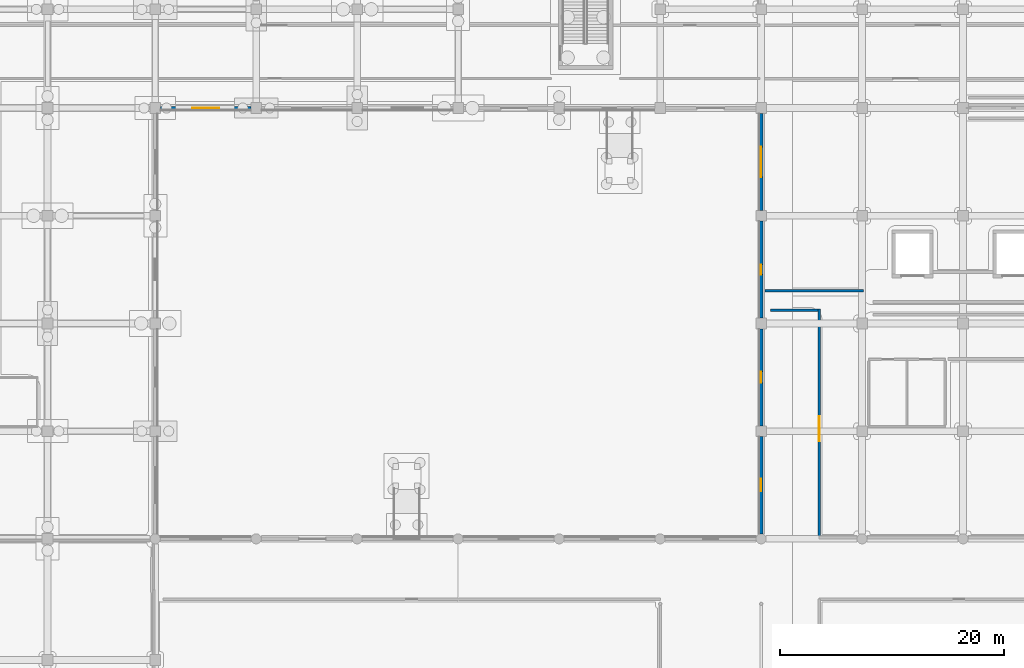
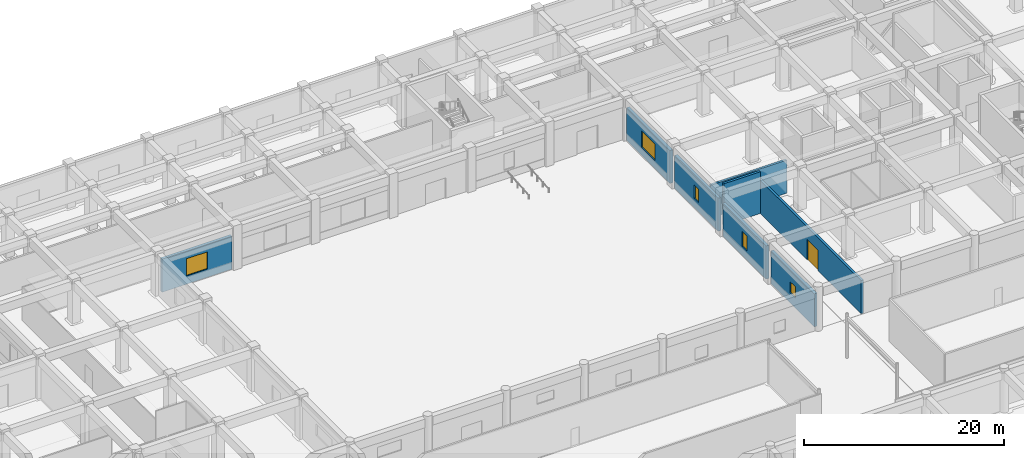
# One storey, part 36 of 74: 8 walls, 5 windows, 1 door, 6 openings.
"""IFC4 building model written with IfcOpenShell, lengths in metres."""

from ifc_helpers import new_model, si_unit, direction, frame, frame_2d, origin, place, context, subcontext, project, spatial, rectangle, extrude, material, layer, layer_set, type_object, element, fill, save


model = new_model("IFC4")

# Units and contexts
model_context = context("Model", 3, precision=1e-05, world=origin(), true_north=direction((0.0, 1.0)))
body_context = subcontext(model_context, "Body", "Model", "MODEL_VIEW")
ifc_project = project(units=[si_unit("LENGTHUNIT", "METRE"), si_unit("AREAUNIT", "SQUARE_METRE"), si_unit("VOLUMEUNIT", "CUBIC_METRE"), si_unit("PLANEANGLEUNIT", "RADIAN"), si_unit("MASSUNIT", "GRAM", prefix="KILO")], contexts=[model_context])

# Site, building, storey
site_placement = place(None, origin())
site = spatial("IfcSite", under=ifc_project, at=site_placement, CompositionType="ELEMENT")
building_placement = place(site_placement, origin())
building = spatial("IfcBuilding", under=site, at=building_placement, Name="Cendralis Terraced Arcade", CompositionType="ELEMENT")
storey_placement = place(building_placement, origin())
storey = spatial("IfcBuildingStorey", under=building, at=storey_placement, Name="L00", CompositionType="ELEMENT", Elevation=0.0)

# Wall, opening, window
ifc_material_1 = material(Name="Precast concrete f'c 40 MPa", Category="concrete")
ifc_layer_1 = layer(ifc_material_1, 0.320068359375, Name="WL-EXT-GRC-320")
ifc_layer_set_1 = layer_set([ifc_layer_1], Name="Precast concrete f'c 40 MPa")
wall_type_1 = type_object("IfcWallType", Name="WL-EXT-GRC-320", PredefinedType="SOLIDWALL", material=ifc_layer_set_1)
wall_1_placement = place(storey_placement, frame((75.72705078125, 98.39990234375, 0.0), z_axis=(0.0, 0.0, 1.0), x_axis=(-1.0, 0.0, 0.0)))
wall_1 = element("IfcWall", 1, at=wall_1_placement, inside=storey, type_object=wall_type_1, Name="Exterior Architectural Wall EW-L00-0067", PredefinedType="SOLIDWALL", context=body_context, shape_type="SweptSolid", body=[
    extrude(rectangle(XDim=8.053955078125, YDim=0.320068359375, at=frame_2d((4.02685546875, 0.0))), origin(), (0.0, 0.0, 1.0), 4.030029296875),
])
opening_1_placement = place(wall_1_placement, frame((2.826904296875, 0.0, 1.0)))
opening_1 = element("IfcOpeningElement", 2, at=opening_1_placement, cuts=wall_1, Name="Opening W-11", PredefinedType="OPENING", context=body_context, shape_type="SweptSolid", body=[
    extrude(rectangle(XDim=2.39990234375, YDim=2.10009765625, at=frame_2d((1.199951171875, 1.050048828125))), frame((0.0, 0.171875, 0.0), z_axis=(0.0, -1.0, 0.0), x_axis=(1.0, 0.0, 0.0)), (0.0, 0.0, 1.0), 0.343994140625),
])
ifc_material_2 = material(Name="Tempered solar control laminated glass", Category="glass")
window_type_1 = type_object("IfcWindowType", Name="WN-F2-2400x2100", PartitioningType="SINGLE_PANEL", PredefinedType="WINDOW", material=ifc_material_2)
window_1_placement = place(opening_1_placement, origin())
window_1 = element("IfcWindow", 3, at=window_1_placement, inside=storey, type_object=window_type_1, Name="Exterior Solar-Control Window WN-L00-0027", OverallHeight=2.10009765625, OverallWidth=2.39990234375, PartitioningType="SINGLE_PANEL", PredefinedType="WINDOW", context=body_context, shape_type="SweptSolid", body=[
    extrude(rectangle(XDim=2.39990234375, YDim=2.10009765625, at=frame_2d((1.199951171875, 1.050048828125))), frame((0.0, 0.030029296875, 0.0), z_axis=(0.0, -1.0, 0.0), x_axis=(1.0, 0.0, 0.0)), (0.0, 0.0, 1.0), 0.06005859375),
])
fill(opening_1, window_1)

wall_2_placement = place(storey_placement, frame((121.199951171875, 60.447998046875, 0.0), z_axis=(0.0, 0.0, 1.0), x_axis=(0.0, 1.0, 0.0)))
wall_2 = element("IfcWall", 4, at=wall_2_placement, inside=storey, type_object=wall_type_1, Name="Exterior Architectural Wall EW-L00-0078", PredefinedType="SOLIDWALL", context=body_context, shape_type="SweptSolid", body=[
    extrude(rectangle(XDim=8.678955078125, YDim=0.320068359375, at=frame_2d((4.33935546875, 0.0))), origin(), (0.0, 0.0, 1.0), 4.030029296875),
])
opening_2_placement = place(wall_2_placement, frame((3.78955078125, 0.0, 1.25)))
opening_2 = element("IfcOpeningElement", 5, at=opening_2_placement, cuts=wall_2, Name="Opening W-22", PredefinedType="OPENING", context=body_context, shape_type="SweptSolid", body=[
    extrude(rectangle(XDim=1.10009765625, YDim=1.35009765625, at=frame_2d((0.550048828125, 0.675048828125))), frame((0.0, 0.171875, 0.0), z_axis=(0.0, -1.0, 0.0), x_axis=(1.0, 0.0, 0.0)), (0.0, 0.0, 1.0), 0.343994140625),
])
window_type_2 = type_object("IfcWindowType", Name="WN-BOH-1100x1350", PartitioningType="SINGLE_PANEL", PredefinedType="WINDOW", material=ifc_material_2)
window_2_placement = place(opening_2_placement, origin())
window_2 = element("IfcWindow", 6, at=window_2_placement, inside=storey, type_object=window_type_2, Name="Exterior Solar-Control Window WN-L00-0037", OverallHeight=1.35009765625, OverallWidth=1.10009765625, PartitioningType="SINGLE_PANEL", PredefinedType="WINDOW", context=body_context, shape_type="SweptSolid", body=[
    extrude(rectangle(XDim=1.10009765625, YDim=1.35009765625, at=frame_2d((0.550048828125, 0.675048828125))), frame((0.0, 0.030029296875, 0.0), z_axis=(0.0, -1.0, 0.0), x_axis=(1.0, 0.0, 0.0)), (0.0, 0.0, 1.0), 0.06005859375),
])
fill(opening_2, window_2)

wall_3_placement = place(storey_placement, frame((121.199951171875, 70.072998046875, 0.0), z_axis=(0.0, 0.0, 1.0), x_axis=(0.0, 1.0, 0.0)))
wall_3 = element("IfcWall", 7, at=wall_3_placement, inside=storey, type_object=wall_type_1, Name="Exterior Architectural Wall EW-L00-0079", PredefinedType="SOLIDWALL", context=body_context, shape_type="SweptSolid", body=[
    extrude(rectangle(XDim=8.654052734375, YDim=0.320068359375, at=frame_2d((4.3271484375, 0.0))), origin(), (0.0, 0.0, 1.0), 4.030029296875),
])
opening_3_placement = place(wall_3_placement, frame((3.826904296875, 0.0, 1.10009765625)))
opening_3 = element("IfcOpeningElement", 8, at=opening_3_placement, cuts=wall_3, Name="Opening W-23", PredefinedType="OPENING", context=body_context, shape_type="SweptSolid", body=[
    extrude(rectangle(XDim=1.0, YDim=1.800048828125, at=frame_2d((0.5, 0.89990234375))), frame((0.0, 0.171875, 0.0), z_axis=(0.0, -1.0, 0.0), x_axis=(1.0, 0.0, 0.0)), (0.0, 0.0, 1.0), 0.343994140625),
])
window_type_3 = type_object("IfcWindowType", Name="WN-ST-1000x1800", PartitioningType="SINGLE_PANEL", PredefinedType="WINDOW", material=ifc_material_2)
window_3_placement = place(opening_3_placement, origin())
window_3 = element("IfcWindow", 9, at=window_3_placement, inside=storey, type_object=window_type_3, Name="Exterior Solar-Control Window WN-L00-0038", OverallHeight=1.800048828125, OverallWidth=1.0, PartitioningType="SINGLE_PANEL", PredefinedType="WINDOW", context=body_context, shape_type="SweptSolid", body=[
    extrude(rectangle(XDim=1.0, YDim=1.800048828125, at=frame_2d((0.5, 0.89990234375))), frame((0.0, 0.030029296875, 0.0), z_axis=(0.0, -1.0, 0.0), x_axis=(1.0, 0.0, 0.0)), (0.0, 0.0, 1.0), 0.06005859375),
])
fill(opening_3, window_3)

wall_4_placement = place(storey_placement, frame((121.199951171875, 79.673095703125, 0.0), z_axis=(0.0, 0.0, 1.0), x_axis=(0.0, 1.0, 0.0)))
wall_4 = element("IfcWall", 10, at=wall_4_placement, inside=storey, type_object=wall_type_1, Name="Exterior Architectural Wall EW-L00-0080", PredefinedType="SOLIDWALL", context=body_context, shape_type="SweptSolid", body=[
    extrude(rectangle(XDim=8.65380859375, YDim=0.320068359375, at=frame_2d((4.326904296875, 0.0))), origin(), (0.0, 0.0, 1.0), 4.030029296875),
])
opening_4_placement = place(wall_4_placement, frame((3.876953125, 0.0, 1.14990234375)))
opening_4 = element("IfcOpeningElement", 11, at=opening_4_placement, cuts=wall_4, Name="Opening W-24", PredefinedType="OPENING", context=body_context, shape_type="SweptSolid", body=[
    extrude(rectangle(XDim=0.89990234375, YDim=1.60009765625, at=frame_2d((0.449951171875, 0.800048828125))), frame((0.0, 0.171875, 0.0), z_axis=(0.0, -1.0, 0.0), x_axis=(1.0, 0.0, 0.0)), (0.0, 0.0, 1.0), 0.343994140625),
])
window_type_4 = type_object("IfcWindowType", Name="WN-ST-0900x1600", PartitioningType="SINGLE_PANEL", PredefinedType="WINDOW", material=ifc_material_2)
window_4_placement = place(opening_4_placement, origin())
window_4 = element("IfcWindow", 12, at=window_4_placement, inside=storey, type_object=window_type_4, Name="Exterior Solar-Control Window WN-L00-0039", OverallHeight=1.60009765625, OverallWidth=0.89990234375, PartitioningType="SINGLE_PANEL", PredefinedType="WINDOW", context=body_context, shape_type="SweptSolid", body=[
    extrude(rectangle(XDim=0.89990234375, YDim=1.60009765625, at=frame_2d((0.449951171875, 0.800048828125))), frame((0.0, 0.030029296875, 0.0), z_axis=(0.0, -1.0, 0.0), x_axis=(1.0, 0.0, 0.0)), (0.0, 0.0, 1.0), 0.06005859375),
])
fill(opening_4, window_4)

wall_5_placement = place(storey_placement, frame((121.199951171875, 89.27294921875, 0.0), z_axis=(0.0, 0.0, 1.0), x_axis=(0.0, 1.0, 0.0)))
wall_5 = element("IfcWall", 13, at=wall_5_placement, inside=storey, type_object=wall_type_1, Name="Exterior Architectural Wall EW-L00-0081", PredefinedType="SOLIDWALL", context=body_context, shape_type="SweptSolid", body=[
    extrude(rectangle(XDim=8.654052734375, YDim=0.320068359375, at=frame_2d((4.3271484375, 0.0))), origin(), (0.0, 0.0, 1.0), 4.030029296875),
])
opening_5_placement = place(wall_5_placement, frame((2.97705078125, 0.0, 1.0)))
opening_5 = element("IfcOpeningElement", 14, at=opening_5_placement, cuts=wall_5, Name="Opening W-25", PredefinedType="OPENING", context=body_context, shape_type="SweptSolid", body=[
    extrude(rectangle(XDim=2.699951171875, YDim=2.0, at=frame_2d((1.35009765625, 1.0))), frame((0.0, 0.171875, 0.0), z_axis=(0.0, -1.0, 0.0), x_axis=(1.0, 0.0, 0.0)), (0.0, 0.0, 1.0), 0.343994140625),
])
window_type_5 = type_object("IfcWindowType", Name="WN-F3-2700x2000", PartitioningType="SINGLE_PANEL", PredefinedType="WINDOW", material=ifc_material_2)
window_5_placement = place(opening_5_placement, origin())
window_5 = element("IfcWindow", 15, at=window_5_placement, inside=storey, type_object=window_type_5, Name="Exterior Solar-Control Window WN-L00-0040", OverallHeight=2.0, OverallWidth=2.699951171875, PartitioningType="SINGLE_PANEL", PredefinedType="WINDOW", context=body_context, shape_type="SweptSolid", body=[
    extrude(rectangle(XDim=2.699951171875, YDim=2.0, at=frame_2d((1.35009765625, 1.0))), frame((0.0, 0.030029296875, 0.0), z_axis=(0.0, -1.0, 0.0), x_axis=(1.0, 0.0, 0.0)), (0.0, 0.0, 1.0), 0.06005859375),
])
fill(opening_5, window_5)

# Wall
ifc_material_3 = material(Name="Autoclaved aerated concrete blockwork", Category="masonry")
ifc_layer_2 = layer(ifc_material_3, 0.241943359375, Name="WL-FIRE-242")
ifc_layer_set_2 = layer_set([ifc_layer_2], Name="Autoclaved aerated concrete blockwork")
wall_type_2 = type_object("IfcWallType", Name="WL-FIRE-242", PredefinedType="PARTITIONING", material=ifc_layer_set_2)
wall_6_placement = place(storey_placement, frame((130.320068359375, 82.1201171875, 0.0), z_axis=(0.0, 0.0, 1.0), x_axis=(-1.0, 0.0, 0.0)))
element("IfcWall", 16, at=wall_6_placement, inside=storey, type_object=wall_type_2, Name="Interior Partition Wall IW-L00-0312", PredefinedType="PARTITIONING", context=body_context, shape_type="SweptSolid", body=[
    extrude(rectangle(XDim=8.780029296875, YDim=0.241943359375, at=frame_2d((4.39013671875, 0.0))), origin(), (0.0, 0.0, 1.0), 4.030029296875),
])

# Wall, opening, door
ifc_layer_3 = layer(ifc_material_3, 0.260009765625, Name="WL-FIRE-260")
ifc_layer_set_3 = layer_set([ifc_layer_3], Name="Autoclaved aerated concrete blockwork")
wall_type_3 = type_object("IfcWallType", Name="WL-FIRE-260", PredefinedType="PARTITIONING", material=ifc_layer_set_3)
wall_7_placement = place(storey_placement, frame((126.3798828125, 60.1201171875, 0.0), z_axis=(0.0, 0.0, 1.0), x_axis=(0.0, 1.0, 0.0)))
wall_7 = element("IfcWall", 17, at=wall_7_placement, inside=storey, type_object=wall_type_3, Name="Interior Partition Wall IW-L00-0317", PredefinedType="PARTITIONING", context=body_context, shape_type="SweptSolid", body=[
    extrude(rectangle(XDim=20.389892578125, YDim=0.260009765625, at=frame_2d((10.19482421875, 0.0))), origin(), (0.0, 0.0, 1.0), 4.030029296875),
])
opening_6_placement = place(wall_7_placement, frame((8.60009765625, 0.0, 0.0)))
opening_6 = element("IfcOpeningElement", 18, at=opening_6_placement, cuts=wall_7, Name="Opening D-L00-092", PredefinedType="OPENING", context=body_context, shape_type="SweptSolid", body=[
    extrude(rectangle(XDim=2.199951171875, YDim=2.5, at=frame_2d((1.10009765625, 1.25))), frame((0.0, 0.14208984375, 0.0), z_axis=(0.0, -1.0, 0.0), x_axis=(1.0, 0.0, 0.0)), (0.0, 0.0, 1.0), 0.283935546875),
])
ifc_material_4 = material(Name="Galvanised fire-rated steel door assembly", Category="steel")
door_type = type_object("IfcDoorType", Name="ID-STK-2200x2500", OperationType="DOUBLE_DOOR_SINGLE_SWING", PredefinedType="DOOR", material=ifc_material_4)
door_placement = place(opening_6_placement, origin())
door = element("IfcDoor", 19, at=door_placement, inside=storey, type_object=door_type, Name="Central Stockrooms and Automated Picking - Dock Staging Door D-L00-092", OperationType="DOUBLE_DOOR_SINGLE_SWING", OverallHeight=2.5, OverallWidth=2.199951171875, PredefinedType="DOOR", context=body_context, shape_type="SweptSolid", body=[
    extrude(rectangle(XDim=2.199951171875, YDim=2.5, at=frame_2d((1.10009765625, 1.25))), frame((0.0, 0.02490234375, 0.0), z_axis=(0.0, -1.0, 0.0), x_axis=(1.0, 0.0, 0.0)), (0.0, 0.0, 1.0), 0.050048828125),
])
fill(opening_6, door)

# Wall
wall_8_placement = place(storey_placement, frame((126.25, 80.3798828125, 0.0), z_axis=(0.0, 0.0, 1.0), x_axis=(-1.0, 0.0, 0.0)))
element("IfcWall", 20, at=wall_8_placement, inside=storey, type_object=wall_type_3, Name="Interior Partition Wall IW-L00-0324", PredefinedType="PARTITIONING", context=body_context, shape_type="SweptSolid", body=[
    extrude(rectangle(XDim=4.2099609375, YDim=0.260009765625, at=frame_2d((2.10498046875, 0.0))), origin(), (0.0, 0.0, 1.0), 5.090087890625),
])

save(model, "model.ifc")
